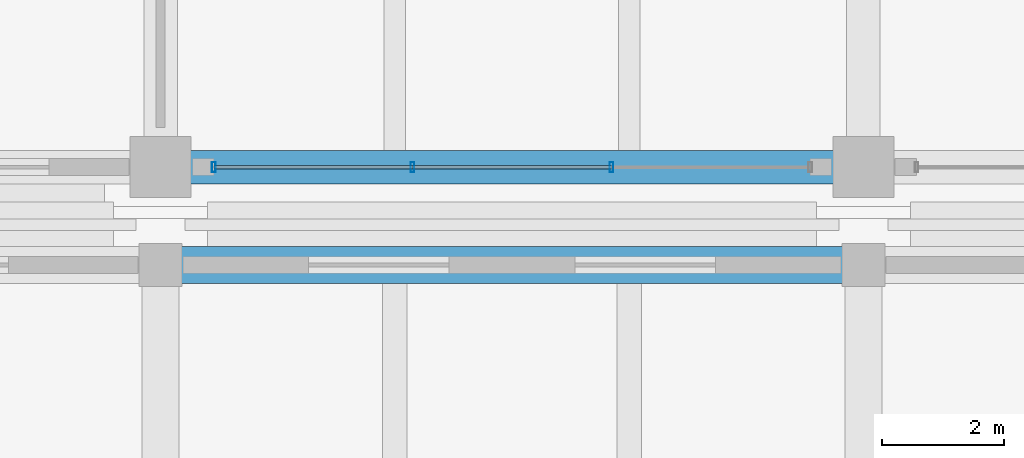
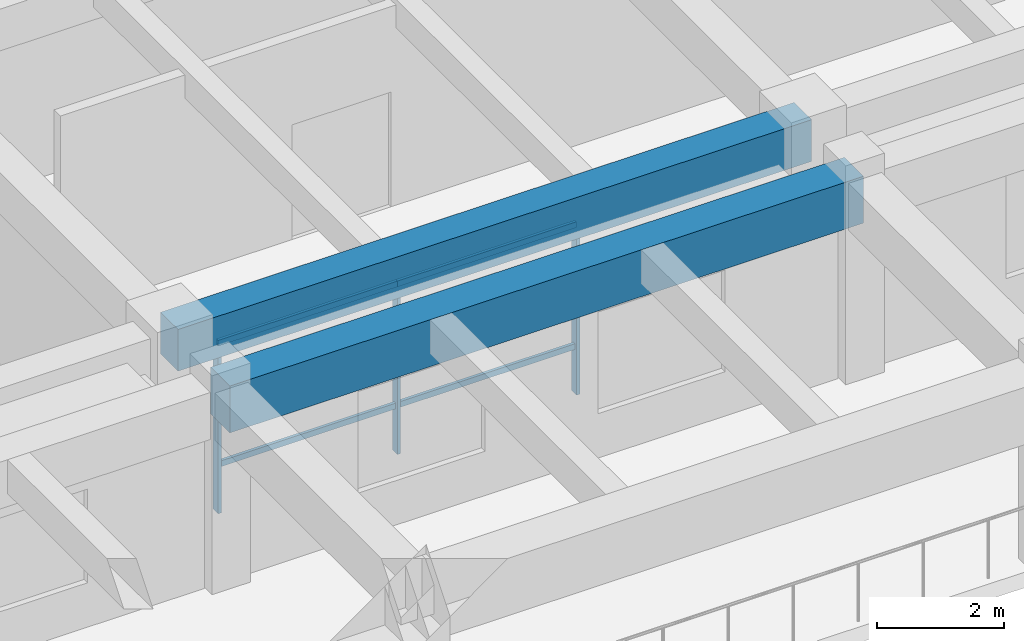
# One storey, part 20 of 98: 7 members, 2 beams, 1 element without a shape of its own.
"""IFC4 building model written with IfcOpenShell, lengths in metres."""

import ifcopenshell
import ifcopenshell.guid

model = None  # the IFC model being written
_history = None  # IfcOwnerHistory: only IFC2X3 demands one
_inside = {}  # id of a spatial element -> (the spatial element, [elements in it])
_under = {}  # id of a project, library or spatial element -> (it, [spatial elements below it])
_declared = {}  # id of a project -> (the project, [libraries it declares])
_typed = {}  # id of a type object -> (the type object, [elements of that type])
_made_of = {}  # id of a material, layer set ... -> (it, [elements and type objects made of it])


def new_model(schema):
    """Start an empty IFC model of exactly this schema.

    Asked for "IFC4X3", IfcOpenShell would pick the latest addendum, in which some entities
    have other attributes; the version numbers below select the first issue.
    IFC2X3 requires an IfcOwnerHistory on every rooted entity: one is made here for all.
    """
    global model, _history
    if schema == "IFC4X3":
        model = ifcopenshell.file(schema_version=(4, 3, 0, 0))
    else:
        model = ifcopenshell.file(schema=schema)
    _inside.clear()
    _under.clear()
    _declared.clear()
    _typed.clear()
    _made_of.clear()
    _history = None
    if model.schema == "IFC2X3":
        org = make("IfcOrganization", Name="unknown")
        user = make(
            "IfcPersonAndOrganization",
            ThePerson=make("IfcPerson", FamilyName="unknown"),
            TheOrganization=org,
        )
        app = make(
            "IfcApplication",
            ApplicationDeveloper=org,
            Version="unknown",
            ApplicationFullName="unknown",
            ApplicationIdentifier="unknown",
        )
        _history = make(
            "IfcOwnerHistory",
            OwningUser=user,
            OwningApplication=app,
            ChangeAction="ADDED",
            CreationDate=0,
        )
    return model


def make(cls, **values):
    """One entity of the class cls with the attributes given. An attribute that is None is left unset."""
    return model.create_entity(
        cls, **{name: value for name, value in values.items() if value is not None}
    )


def rooted(cls, **values):
    """An entity with a GlobalId (a new one), such as an element, a storey or a relation."""
    return make(cls, GlobalId=ifcopenshell.guid.new(), OwnerHistory=_history, **values)


def si_unit(unit_type, name, prefix=None):
    """IfcSIUnit, for example si_unit("LENGTHUNIT", "METRE", prefix="MILLI")."""
    return make("IfcSIUnit", UnitType=unit_type, Prefix=prefix, Name=name)


def assignment(units):
    """IfcUnitAssignment: the units of a project."""
    return None if units is None else make("IfcUnitAssignment", Units=units)


def point(xyz):
    """IfcCartesianPoint."""
    return None if xyz is None else make("IfcCartesianPoint", Coordinates=xyz)


def direction(xyz):
    """IfcDirection."""
    return None if xyz is None else make("IfcDirection", DirectionRatios=xyz)


def frame(location, z_axis=None, x_axis=None):
    """IfcAxis2Placement3D, a coordinate frame: its origin and axes. An axis left out is left unset."""
    return make(
        "IfcAxis2Placement3D",
        Location=point(location),
        Axis=direction(z_axis),
        RefDirection=direction(x_axis),
    )


def frame_2d(location, x_axis=None):
    """IfcAxis2Placement2D, a coordinate frame in the plane: its origin and x axis."""
    return make(
        "IfcAxis2Placement2D", Location=point(location), RefDirection=direction(x_axis)
    )


def origin():
    """The frame at (0, 0, 0) with its axes left unset."""
    return frame((0.0, 0.0, 0.0))


def origin_2d():
    """The frame at (0, 0) in the plane with its x axis left unset."""
    return frame_2d((0.0, 0.0))


def place(relative_to, where):
    """IfcLocalPlacement: puts the frame where relative to a parent placement (None: the world)."""
    return make(
        "IfcLocalPlacement", PlacementRelTo=relative_to, RelativePlacement=where
    )


def context(
    kind, dimensions, precision=None, world=None, true_north=None, identifier=None
):
    """IfcGeometricRepresentationContext, for example the 3D "Model" context."""
    return make(
        "IfcGeometricRepresentationContext",
        ContextIdentifier=identifier,
        ContextType=kind,
        CoordinateSpaceDimension=dimensions,
        Precision=precision,
        WorldCoordinateSystem=world,
        TrueNorth=true_north,
    )


def subcontext(parent, identifier, kind, view, scale=None):
    """IfcGeometricRepresentationSubContext, for example "Body" below "Model"."""
    return make(
        "IfcGeometricRepresentationSubContext",
        ContextIdentifier=identifier,
        ContextType=kind,
        ParentContext=parent,
        TargetScale=scale,
        TargetView=view,
    )


def project(units=None, contexts=None):
    """IfcProject with its units and contexts."""
    return rooted(
        "IfcProject",
        Name="project",
        RepresentationContexts=contexts,
        UnitsInContext=assignment(units),
    )


def spatial(cls, under=None, at=None, **own):
    """A site, building, storey or space (cls), placed at a placement, below another one or the project."""
    s = rooted(cls, ObjectPlacement=at, **own)
    if under is not None:
        _under.setdefault(under.id(), (under, []))[1].append(s)
    return s


def profile(cls, at=None, kind="AREA", **sizes):
    """A parametric profile (cls). Its sizes go by their IFC names, for example OverallWidth=200.0."""
    return make(cls, ProfileType=kind, Position=at, **sizes)


def rectangle(**sizes):
    """IfcRectangleProfileDef."""
    return profile("IfcRectangleProfileDef", **sizes)


def hollow_rectangle(**sizes):
    """IfcRectangleHollowProfileDef."""
    return profile("IfcRectangleHollowProfileDef", **sizes)


def extrude(swept, where, along, depth):
    """IfcExtrudedAreaSolid: the profile swept, set in the frame where, extruded along a direction by depth."""
    return make(
        "IfcExtrudedAreaSolid",
        SweptArea=swept,
        Position=where,
        ExtrudedDirection=direction(along),
        Depth=depth,
    )


def shape(context_of_items, identifier, shape_type, items):
    """IfcShapeRepresentation: the items that make up one representation, for example the "Body"."""
    return make(
        "IfcShapeRepresentation",
        ContextOfItems=context_of_items,
        RepresentationIdentifier=identifier,
        RepresentationType=shape_type,
        Items=items,
    )


def material(Name=None, Category=None):
    """IfcMaterial."""
    return make("IfcMaterial", Name=Name, Category=Category)


def material_profile(
    of_material, cross_section, Name=None, Category=None, Priority=None
):
    """IfcMaterialProfile: a cross section and its material."""
    return make(
        "IfcMaterialProfile",
        Name=Name,
        Material=of_material,
        Profile=cross_section,
        Priority=Priority,
        Category=Category,
    )


def profile_set(profiles, Name=None, composite=None):
    """IfcMaterialProfileSet."""
    return make(
        "IfcMaterialProfileSet",
        Name=Name,
        MaterialProfiles=profiles,
        CompositeProfile=composite,
    )


def made_of(thing, what):
    """Note that an element or type object is made of a material, layer set ...; save() writes the relation."""
    if what is not None:
        _made_of.setdefault(what.id(), (what, []))[1].append(thing)
    return thing


def type_object(cls, material=None, **own):
    """A type object (cls), such as IfcWallType, which elements share."""
    return made_of(rooted(cls, **own), material)


def element(
    cls,
    number,
    at=None,
    inside=None,
    cuts=None,
    type_object=None,
    material=None,
    context=None,
    identifier="Body",
    shape_type=None,
    held_by="IfcProductDefinitionShape",
    body=None,
    shapes=None,
    **own,
):
    """One element of the class cls, such as IfcWall. Its Tag is "e" and its number.

    at: its placement. inside: the storey or other place that contains it. cuts: it is an
    opening in that element (IfcRelVoidsElement). A single representation is given by context,
    identifier, shape_type and body (its items); several are given by shapes. held_by: the class
    of the entity that holds the representations. save() writes the other relations.
    """
    e = rooted(cls, Tag="e%d" % number, ObjectPlacement=at, **own)
    if body is not None:
        shapes = [shape(context, identifier, shape_type, body)]
    if shapes is not None:
        e.Representation = make(held_by, Representations=shapes)
    if inside is not None:
        _inside.setdefault(inside.id(), (inside, []))[1].append(e)
    if cuts is not None:
        rooted(
            "IfcRelVoidsElement", RelatingBuildingElement=cuts, RelatedOpeningElement=e
        )
    if type_object is not None:
        _typed.setdefault(type_object.id(), (type_object, []))[1].append(e)
    return made_of(e, material)


def aggregate(whole, parts):
    """IfcRelAggregates: a whole, such as a stair, and the parts it consists of."""
    return rooted("IfcRelAggregates", RelatingObject=whole, RelatedObjects=parts)


def save(model, path):
    """Write the relations noted so far, then the file.

    IfcRelAggregates (storeys below a building ...), IfcRelContainedInSpatialStructure (elements
    in a storey), IfcRelDefinesByType, IfcRelAssociatesMaterial and IfcRelDeclares: one each for
    every whole, place, type object, material and project.
    """
    for whole, parts in _under.values():
        aggregate(whole, parts)
    for where, things in _inside.values():
        rooted(
            "IfcRelContainedInSpatialStructure",
            RelatedElements=things,
            RelatingStructure=where,
        )
    for kind, things in _typed.values():
        rooted("IfcRelDefinesByType", RelatedObjects=things, RelatingType=kind)
    for what, things in _made_of.values():
        rooted("IfcRelAssociatesMaterial", RelatedObjects=things, RelatingMaterial=what)
    for by, libraries in _declared.values():
        rooted("IfcRelDeclares", RelatingContext=by, RelatedDefinitions=libraries)
    model.write(path)


model = new_model("IFC4")

# Units and contexts
model_context = context("Model", 3, precision=1e-05, world=origin(), true_north=direction((0.0, 1.0)))
body_context = subcontext(model_context, "Body", "Model", "MODEL_VIEW")
ifc_project = project(units=[si_unit("LENGTHUNIT", "METRE"), si_unit("AREAUNIT", "SQUARE_METRE"), si_unit("VOLUMEUNIT", "CUBIC_METRE"), si_unit("PLANEANGLEUNIT", "RADIAN"), si_unit("MASSUNIT", "GRAM", prefix="KILO")], contexts=[model_context])

# Site, building, storey
site_placement = place(None, origin())
site = spatial("IfcSite", under=ifc_project, at=site_placement, CompositionType="ELEMENT")
building_placement = place(site_placement, origin())
building = spatial("IfcBuilding", under=site, at=building_placement, Name="Ologun Quay Terminus", CompositionType="ELEMENT")
storey_placement = place(building_placement, frame((0.0, 0.0, 4.199951171875)))
storey = spatial("IfcBuildingStorey", under=building, at=storey_placement, Name="L01", CompositionType="ELEMENT", Elevation=4.199951171875)

# Curtain wall, members
ifc_material_1 = material(Name="Aluminium 6063-T6", Category="aluminium")
curtain_wall_type = type_object("IfcCurtainWallType", Name="Waterfront Pavilion Harbour Curtain Wall L01 10500x3850", PredefinedType="USERDEFINED", material=ifc_material_1)
curtain_wall_placement = place(storey_placement, origin())
curtain_wall = element("IfcCurtainWall", 1, at=curtain_wall_placement, inside=storey, type_object=curtain_wall_type, Name="CW-23 Curtain Wall CW-L01-097", ObjectType="UNITISED CURTAIN WALL", PredefinedType="USERDEFINED")
ifc_material_2 = material(Name="Aluminium 6063-T6", Category="aluminium")
ifc_material_profile_1 = material_profile(ifc_material_2, hollow_rectangle(XDim=0.06005859375, YDim=0.159912109375, WallThickness=0.00390625, at=origin_2d()), Name="ALU 160x60x4")
ifc_profile_set_1 = profile_set([ifc_material_profile_1], Name="Aluminium 6063-T6")
member_type_1 = type_object("IfcMemberType", Name="Courtyard Screen Mullion 160x65", PredefinedType="MULLION", material=ifc_profile_set_1)
member_1_placement = place(storey_placement, frame((23.8701171875, 85.800048828125, 0.0), z_axis=(0.0, 0.0, 1.0), x_axis=(1.0, 0.0, 0.0)))
member_1 = element("IfcMember", 2, at=member_1_placement, type_object=member_type_1, Name="CW-L01-097 Mullion 1", PredefinedType="MULLION", context=body_context, shape_type="SweptSolid", body=[
    extrude(hollow_rectangle(XDim=0.06005859375, YDim=0.159912109375, WallThickness=0.00390625, at=origin_2d()), origin(), (0.0, 0.0, 1.0), 3.929931640625),
])
member_2_placement = place(storey_placement, frame((27.123291015625, 85.800048828125, 0.0), z_axis=(0.0, 0.0, 1.0), x_axis=(1.0, 0.0, 0.0)))
member_2 = element("IfcMember", 3, at=member_2_placement, type_object=member_type_1, Name="CW-L01-097 Mullion 2", PredefinedType="MULLION", context=body_context, shape_type="SweptSolid", body=[
    extrude(hollow_rectangle(XDim=0.06005859375, YDim=0.159912109375, WallThickness=0.00390625, at=origin_2d()), origin(), (0.0, 0.0, 1.0), 3.929931640625),
])
member_3_placement = place(storey_placement, frame((30.376708984375, 85.800048828125, 0.0), z_axis=(0.0, 0.0, 1.0), x_axis=(1.0, 0.0, 0.0)))
member_3 = element("IfcMember", 4, at=member_3_placement, type_object=member_type_1, Name="CW-L01-097 Mullion 3", PredefinedType="MULLION", context=body_context, shape_type="SweptSolid", body=[
    extrude(hollow_rectangle(XDim=0.06005859375, YDim=0.159912109375, WallThickness=0.00390625, at=origin_2d()), origin(), (0.0, 0.0, 1.0), 3.929931640625),
])
ifc_material_3 = material(Name="Aluminium 6063-T6", Category="aluminium")
ifc_material_profile_2 = material_profile(ifc_material_3, hollow_rectangle(XDim=0.054931640625, YDim=0.110107421875, WallThickness=0.00390625, at=origin_2d()), Name="ALU 110x55x4")
ifc_profile_set_2 = profile_set([ifc_material_profile_2], Name="Aluminium 6063-T6")
member_type_2 = type_object("IfcMemberType", Name="Courtyard Screen Transom 110x55", PredefinedType="USERDEFINED", material=ifc_profile_set_2)
member_4_placement = place(storey_placement, frame((23.8701171875, 85.800048828125, 0.900146484375), z_axis=(1.0, 0.0, 0.0), x_axis=(0.0, 1.0, 0.0)))
member_4 = element("IfcMember", 5, at=member_4_placement, type_object=member_type_2, Name="CW-L01-097 Transom B1-1", ObjectType="TRANSOM", PredefinedType="USERDEFINED", context=body_context, shape_type="SweptSolid", body=[
    extrude(hollow_rectangle(XDim=0.054931640625, YDim=0.110107421875, WallThickness=0.00390625, at=origin_2d()), origin(), (0.0, 0.0, 1.0), 3.253173828125),
])
member_5_placement = place(storey_placement, frame((23.8701171875, 85.800048828125, 3.22998046875), z_axis=(1.0, 0.0, 0.0), x_axis=(0.0, 1.0, 0.0)))
member_5 = element("IfcMember", 6, at=member_5_placement, type_object=member_type_2, Name="CW-L01-097 Transom B1-2", ObjectType="TRANSOM", PredefinedType="USERDEFINED", context=body_context, shape_type="SweptSolid", body=[
    extrude(hollow_rectangle(XDim=0.054931640625, YDim=0.110107421875, WallThickness=0.00390625, at=origin_2d()), origin(), (0.0, 0.0, 1.0), 3.253173828125),
])
member_6_placement = place(storey_placement, frame((27.123291015625, 85.800048828125, 0.900146484375), z_axis=(1.0, 0.0, 0.0), x_axis=(0.0, 1.0, 0.0)))
member_6 = element("IfcMember", 7, at=member_6_placement, type_object=member_type_2, Name="CW-L01-097 Transom B2-1", ObjectType="TRANSOM", PredefinedType="USERDEFINED", context=body_context, shape_type="SweptSolid", body=[
    extrude(hollow_rectangle(XDim=0.054931640625, YDim=0.110107421875, WallThickness=0.00390625, at=origin_2d()), origin(), (0.0, 0.0, 1.0), 3.25341796875),
])
member_7_placement = place(storey_placement, frame((27.123291015625, 85.800048828125, 3.22998046875), z_axis=(1.0, 0.0, 0.0), x_axis=(0.0, 1.0, 0.0)))
member_7 = element("IfcMember", 8, at=member_7_placement, type_object=member_type_2, Name="CW-L01-097 Transom B2-2", ObjectType="TRANSOM", PredefinedType="USERDEFINED", context=body_context, shape_type="SweptSolid", body=[
    extrude(hollow_rectangle(XDim=0.054931640625, YDim=0.110107421875, WallThickness=0.00390625, at=origin_2d()), origin(), (0.0, 0.0, 1.0), 3.25341796875),
])
aggregate(curtain_wall, [member_1, member_2, member_3, member_4, member_5, member_6, member_7])

# Beams
ifc_material_4 = material(Name="Concrete C40/50", Category="concrete")
ifc_material_profile_3 = material_profile(ifc_material_4, rectangle(XDim=0.550048828125, YDim=0.800048828125, at=origin_2d()), Name="RC 550x800")
ifc_profile_set_3 = profile_set([ifc_material_profile_3], Name="Concrete C40/50")
beam_type_1 = type_object("IfcBeamType", Name="Courtyard Wing Primary Girder 550x800", PredefinedType="BEAM", material=ifc_profile_set_3)
beam_1_placement = place(storey_placement, frame((23.0, 85.800048828125, 3.550048828125), z_axis=(1.0, 0.0, 0.0), x_axis=(0.0, 1.0, 0.0)))
element("IfcBeam", 9, at=beam_1_placement, inside=storey, type_object=beam_type_1, Name="B4 Beam 3/G2 L01", PredefinedType="BEAM", context=body_context, shape_type="SweptSolid", body=[
    extrude(rectangle(XDim=0.550048828125, YDim=0.800048828125, at=origin_2d()), origin(), (0.0, 0.0, 1.0), 11.5),
])
ifc_material_5 = material(Name="Concrete C40/50", Category="concrete")
ifc_material_profile_4 = material_profile(ifc_material_5, rectangle(XDim=0.60009765625, YDim=0.89990234375, at=origin_2d()), Name="RC 600x900")
ifc_profile_set_4 = profile_set([ifc_material_profile_4], Name="Concrete C40/50")
beam_type_2 = type_object("IfcBeamType", Name="Station Frame Girder 600x900", PredefinedType="BEAM", material=ifc_profile_set_4)
beam_2_placement = place(storey_placement, frame((23.0, 84.199951171875, 3.400146484375), z_axis=(1.0, 0.0, 0.0), x_axis=(0.0, 1.0, 0.0)))
element("IfcBeam", 10, at=beam_2_placement, inside=storey, type_object=beam_type_2, Name="B3 Beam 3/G1 L01", PredefinedType="BEAM", context=body_context, shape_type="SweptSolid", body=[
    extrude(rectangle(XDim=0.60009765625, YDim=0.89990234375, at=origin_2d()), origin(), (0.0, 0.0, 1.0), 11.5),
])

save(model, "model.ifc")
